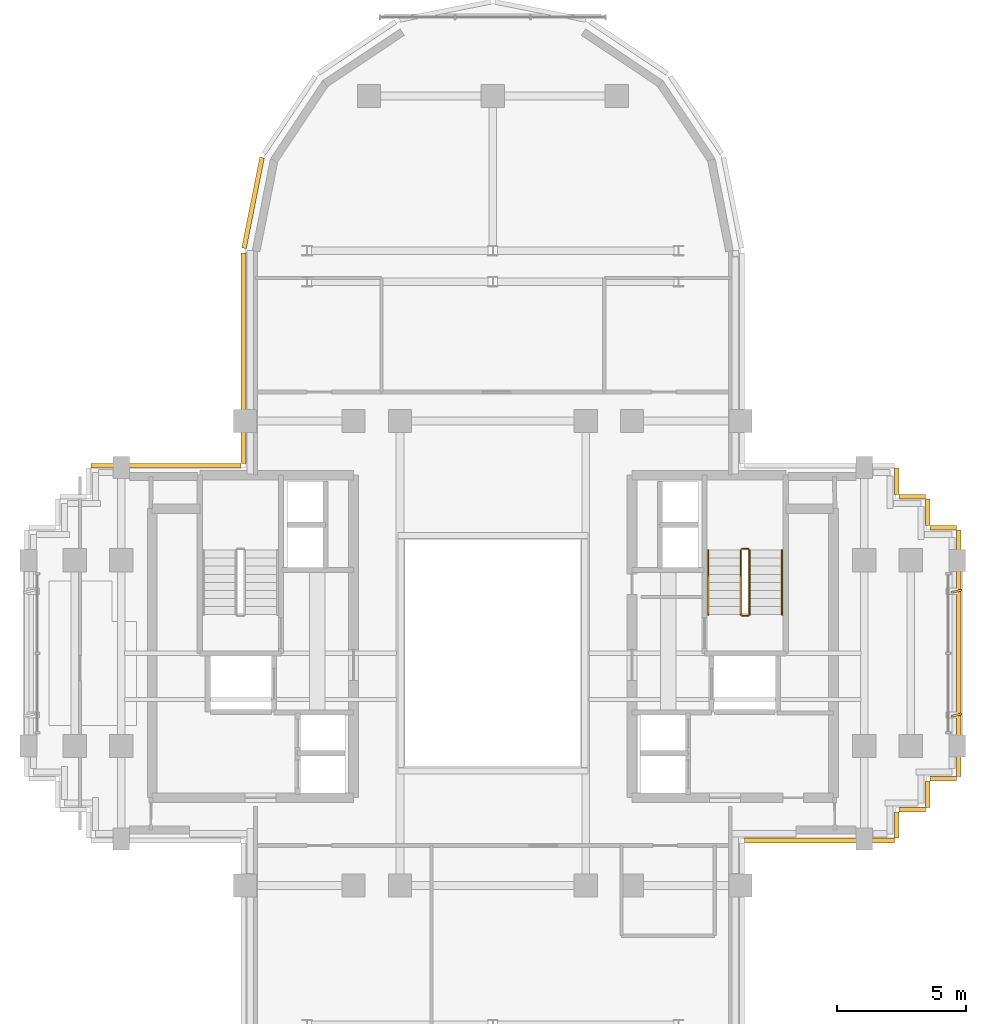
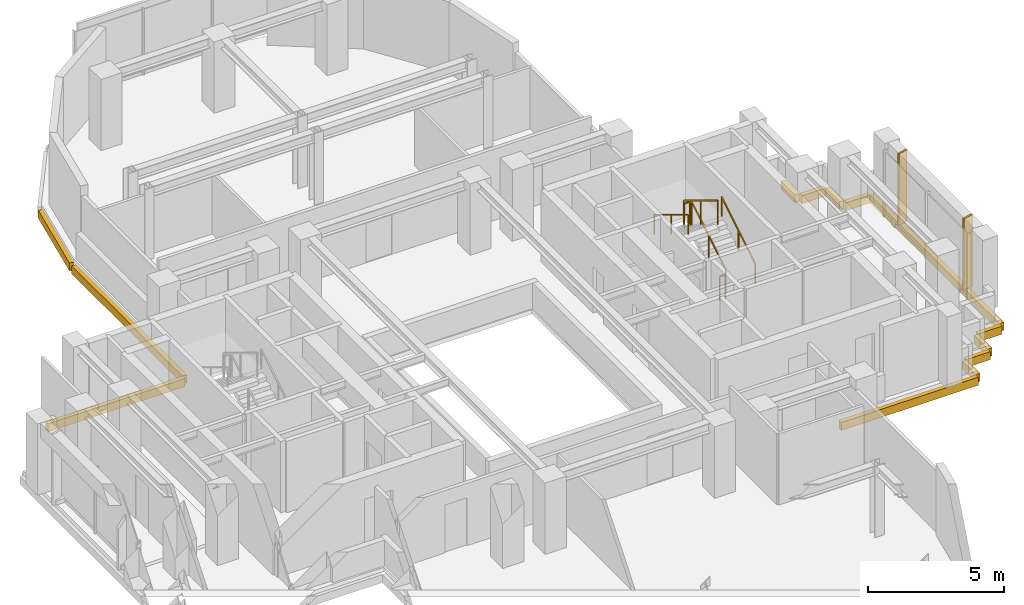
# One storey, part 10 of 11: 13 coverings, 6 railings, 2 shading devices.
"""IFC4 building model written with IfcOpenShell, lengths in metres."""

from ifc_helpers import new_model, si_unit, direction, frame, origin, origin_2d, place, context, subcontext, project, spatial, rectangle, extrude, source, transform, mapped, material, layer, layer_set, type_object, element, save


model = new_model("IFC4")

# Units and contexts
model_context = context("Model", 3, precision=1e-05, world=origin(), true_north=direction((0.0, 1.0)))
body_context = subcontext(model_context, "Body", "Model", "MODEL_VIEW")
ifc_project = project(units=[si_unit("LENGTHUNIT", "METRE"), si_unit("AREAUNIT", "SQUARE_METRE"), si_unit("VOLUMEUNIT", "CUBIC_METRE"), si_unit("PLANEANGLEUNIT", "RADIAN"), si_unit("MASSUNIT", "GRAM", prefix="KILO")], contexts=[model_context])

# Site, building, storey
site_placement = place(None, origin())
site = spatial("IfcSite", under=ifc_project, at=site_placement, CompositionType="ELEMENT")
building_placement = place(site_placement, origin())
building = spatial("IfcBuilding", under=site, at=building_placement, Name="Keilestroom Media Tower", CompositionType="ELEMENT")
storey_placement = place(building_placement, frame((0.0, 0.0, 170.60009765625)))
storey = spatial("IfcBuildingStorey", under=building, at=storey_placement, Name="L46", CompositionType="ELEMENT", Elevation=170.60009765625)

# Railings
ifc_material_1 = material(Name="Brushed Stainless Steel 1.4301", Category="steel")
railing_type_1 = type_object("IfcRailingType", Name="Stair-Pitch-Handrail-920", PredefinedType="HANDRAIL", material=ifc_material_1)
railing_1_placement = place(storey_placement, frame((11.2099609375, 1.5, 0.188720703125)))
element("IfcRailing", 1, at=railing_1_placement, inside=storey, type_object=railing_type_1, Name="L46 ST-2 stair handrail 1", PredefinedType="HANDRAIL", context=body_context, shape_type="SweptSolid", body=[
    extrude(rectangle(XDim=0.048095703125, YDim=0.048095703125, at=origin_2d()), frame((0.0, 0.0, 0.8759765625), z_axis=(0.0, 0.855433747314, 0.517912255074), x_axis=(-1.0, 0.0, 0.0)), (0.0, 0.0, 1.0), 2.91796875),
    extrude(rectangle(XDim=0.0419921875, YDim=0.0419921875, at=origin_2d()), origin(), (0.0, 0.0, 1.0), 0.84375),
    extrude(rectangle(XDim=0.0419921875, YDim=0.0419921875, at=origin_2d()), frame((0.0, 1.248046875, 0.755615234375)), (0.0, 0.0, 1.0), 0.84375),
    extrude(rectangle(XDim=0.0419921875, YDim=0.0419921875, at=origin_2d()), frame((0.0, 2.49609375, 1.51123046875)), (0.0, 0.0, 1.0), 0.84375),
])
railing_2_placement = place(storey_placement, frame((8.35009765625, 3.99609375, 1.888671875)))
element("IfcRailing", 2, at=railing_2_placement, inside=storey, type_object=railing_type_1, Name="L46 ST-2 stair handrail 2", PredefinedType="HANDRAIL", context=body_context, shape_type="SweptSolid", body=[
    extrude(rectangle(XDim=0.048095703125, YDim=0.048095703125, at=origin_2d()), frame((0.0, 0.0, 0.8759765625), z_axis=(0.0, -0.855433747314, 0.517912255074), x_axis=(1.0, 0.0, 0.0)), (0.0, 0.0, 1.0), 2.91796875),
    extrude(rectangle(XDim=0.0419921875, YDim=0.0419921875, at=origin_2d()), origin(), (0.0, 0.0, 1.0), 0.84375),
    extrude(rectangle(XDim=0.0419921875, YDim=0.0419921875, at=origin_2d()), frame((0.0, -1.248046875, 0.755615234375)), (0.0, 0.0, 1.0), 0.84375),
    extrude(rectangle(XDim=0.0419921875, YDim=0.0419921875, at=origin_2d()), frame((0.0, -2.49609375, 1.51123046875)), (0.0, 0.0, 1.0), 0.84375),
])
ifc_material_2 = material(Name="Painted Steel Balustrade", Category="steel")
railing_type_2 = type_object("IfcRailingType", Name="Stair-Well-And-Landing-Guard-1100", PredefinedType="GUARDRAIL", material=ifc_material_2)
railing_3_placement = place(storey_placement, frame((9.949951171875, 1.5, 0.188720703125)))
element("IfcRailing", 3, at=railing_3_placement, inside=storey, type_object=railing_type_2, Name="L46 ST-2 stair guard 1", PredefinedType="GUARDRAIL", context=body_context, shape_type="SweptSolid", body=[
    extrude(rectangle(XDim=0.048095703125, YDim=0.048095703125, at=origin_2d()), frame((0.0, 0.0, 1.076171875), z_axis=(0.0, 0.855433747314, 0.517912255074), x_axis=(-1.0, 0.0, 0.0)), (0.0, 0.0, 1.0), 2.91796875),
    extrude(rectangle(XDim=0.0419921875, YDim=0.0419921875, at=origin_2d()), origin(), (0.0, 0.0, 1.0), 1.0439453125),
    extrude(rectangle(XDim=0.0419921875, YDim=0.0419921875, at=origin_2d()), frame((0.0, 1.248046875, 0.755615234375)), (0.0, 0.0, 1.0), 1.0439453125),
    extrude(rectangle(XDim=0.0419921875, YDim=0.0419921875, at=origin_2d()), frame((0.0, 2.49609375, 1.51123046875)), (0.0, 0.0, 1.0), 1.0439453125),
])
railing_4_placement = place(storey_placement, frame((9.89990234375, 4.0458984375, 1.699951171875)))
element("IfcRailing", 4, at=railing_4_placement, inside=storey, type_object=railing_type_2, Name="L46 ST-2 stair guard 2", PredefinedType="GUARDRAIL", context=body_context, shape_type="SweptSolid", body=[
    extrude(rectangle(XDim=0.048095703125, YDim=0.048095703125, at=origin_2d()), frame((0.0, 0.0, 1.076171875), z_axis=(-1.0, 0.0, 0.0), x_axis=(0.0, -1.0, 0.0)), (0.0, 0.0, 1.0), 0.239990234375),
    extrude(rectangle(XDim=0.0419921875, YDim=0.0419921875, at=origin_2d()), origin(), (0.0, 0.0, 1.0), 1.0439453125),
    extrude(rectangle(XDim=0.0419921875, YDim=0.0419921875, at=origin_2d()), frame((-0.239990234375, 0.0, 0.0)), (0.0, 0.0, 1.0), 1.0439453125),
])
railing_5_placement = place(storey_placement, frame((9.610107421875, 3.99609375, 1.888671875)))
element("IfcRailing", 5, at=railing_5_placement, inside=storey, type_object=railing_type_2, Name="L46 ST-2 stair guard 3", PredefinedType="GUARDRAIL", context=body_context, shape_type="SweptSolid", body=[
    extrude(rectangle(XDim=0.048095703125, YDim=0.048095703125, at=origin_2d()), frame((0.0, 0.0, 1.076171875), z_axis=(0.0, -0.855433747314, 0.517912255074), x_axis=(1.0, 0.0, 0.0)), (0.0, 0.0, 1.0), 2.91796875),
    extrude(rectangle(XDim=0.0419921875, YDim=0.0419921875, at=origin_2d()), origin(), (0.0, 0.0, 1.0), 1.0439453125),
    extrude(rectangle(XDim=0.0419921875, YDim=0.0419921875, at=origin_2d()), frame((0.0, -1.248046875, 0.755615234375)), (0.0, 0.0, 1.0), 1.0439453125),
    extrude(rectangle(XDim=0.0419921875, YDim=0.0419921875, at=origin_2d()), frame((0.0, -2.49609375, 1.51123046875)), (0.0, 0.0, 1.0), 1.0439453125),
])
railing_6_placement = place(storey_placement, frame((9.89990234375, 1.449951171875, 0.0)))
element("IfcRailing", 6, at=railing_6_placement, inside=storey, type_object=railing_type_2, Name="L46 ST-2 stair guard 4", PredefinedType="GUARDRAIL", context=body_context, shape_type="SweptSolid", body=[
    extrude(rectangle(XDim=0.048095703125, YDim=0.048095703125, at=origin_2d()), frame((0.0, 0.0, 1.076171875), z_axis=(-1.0, 0.0, 0.0), x_axis=(0.0, -1.0, 0.0)), (0.0, 0.0, 1.0), 0.239990234375),
    extrude(rectangle(XDim=0.0419921875, YDim=0.0419921875, at=origin_2d()), origin(), (0.0, 0.0, 1.0), 1.0439453125),
    extrude(rectangle(XDim=0.0419921875, YDim=0.0419921875, at=origin_2d()), frame((-0.239990234375, 0.0, 0.0)), (0.0, 0.0, 1.0), 1.0439453125),
])

# Shading devices
ifc_material_3 = material(Name="Bronze Anodised Aluminium", Category="aluminium")
shading_device_type = type_object("IfcShadingDeviceType", Name="Facade-Vertical-Sunshade-Fin-SHD-1", PredefinedType="USERDEFINED", material=ifc_material_3)
shared_shape_1 = source(origin(), body_context, "Body", "SweptSolid", [
    extrude(rectangle(XDim=0.419921875, YDim=0.080078125, at=origin_2d()), origin(), (0.0, 0.0, 1.0), 3.199951171875),
])
for number, where, z_axis, x_axis, name in (
    (7, (17.969970703125, -2.39990234375, 0.0), (0.0, 0.0, 1.0), (0.973098510982, 0.230389426677, 0.0), "L46 Twisting Sunshade Fin SHD-1 063"),
    (8, (17.969970703125, 2.39990234375, 0.0), (0.0, 0.0, 1.0), (0.973098510982, 0.230389426677, 0.0), "L46 Twisting Sunshade Fin SHD-1 064"),
):
    element("IfcShadingDevice", number, at=place(storey_placement, frame(where, z_axis=z_axis, x_axis=x_axis)), inside=storey, type_object=shading_device_type, Name=name, ObjectType="SUNSHADE", PredefinedType="USERDEFINED", context=body_context, shape_type="MappedRepresentation", body=[
        mapped(shared_shape_1, transform((0.0, 0.0, 0.0), x_axis=(1.0, 0.0, 0.0), y_axis=(0.0, 1.0, 0.0), z_axis=(0.0, 0.0, 1.0), scale=1.0)),
    ])

# Coverings
ifc_material_4 = material(Name="Precast concrete C40/50", Category="concrete")
ifc_layer = layer(ifc_material_4, 0.1201171875)
ifc_layer_set = layer_set([ifc_layer], Name="Precast concrete C40/50")
covering_type = type_object("IfcCoveringType", Name="Exterior-Precast-Spandrel-Cladding-Panel-120", PredefinedType="CLADDING", material=ifc_layer_set)
shared_shape_2 = source(origin(), body_context, "Body", "SweptSolid", [
    extrude(rectangle(XDim=1.02001953125, YDim=0.179931640625, at=origin_2d()), origin(), (0.0, 0.0, 1.0), 0.360107421875),
])
for number, where, z_axis, x_axis, name in (
    (9, (17.4599609375, -4.860107421875, -0.5400390625), (0.0, 0.0, 1.0), (-1.0, 0.0, 0.0), "L46 Precast Slab-Edge Fascia Cornice 01"),
    (10, (16.860107421875, -5.4599609375, -0.5400390625), (0.0, 0.0, 1.0), (0.0, -1.0, 0.0), "L46 Precast Slab-Edge Fascia Cornice 02"),
    (11, (16.260009765625, -6.06005859375, -0.5400390625), (0.0, 0.0, 1.0), (-1.0, 0.0, 0.0), "L46 Precast Slab-Edge Fascia Cornice 03"),
    (12, (15.659912109375, -6.659912109375, -0.5400390625), (0.0, 0.0, 1.0), (0.0, -1.0, 0.0), "L46 Precast Slab-Edge Fascia Cornice 04"),
    (13, (15.659912109375, 6.659912109375, -0.5400390625), (0.0, 0.0, 1.0), (0.0, -1.0, 0.0), "L46 Precast Slab-Edge Fascia Cornice 38"),
    (14, (16.260009765625, 6.06005859375, -0.5400390625), (0.0, 0.0, 1.0), (1.0, 0.0, 0.0), "L46 Precast Slab-Edge Fascia Cornice 39"),
    (15, (16.860107421875, 5.4599609375, -0.5400390625), (0.0, 0.0, 1.0), (0.0, -1.0, 0.0), "L46 Precast Slab-Edge Fascia Cornice 40"),
    (16, (17.4599609375, 4.860107421875, -0.5400390625), (0.0, 0.0, 1.0), (1.0, 0.0, 0.0), "L46 Precast Slab-Edge Fascia Cornice 41"),
):
    element("IfcCovering", number, at=place(storey_placement, frame(where, z_axis=z_axis, x_axis=x_axis)), inside=storey, type_object=covering_type, Name=name, PredefinedType="CLADDING", context=body_context, shape_type="MappedRepresentation", body=[
        mapped(shared_shape_2, transform((0.0, 0.0, 0.0), x_axis=(1.0, 0.0, 0.0), y_axis=(0.0, 1.0, 0.0), z_axis=(0.0, 0.0, 1.0), scale=1.0)),
    ])
shared_shape_3 = source(origin(), body_context, "Body", "SweptSolid", [
    extrude(rectangle(XDim=8.166015625, YDim=0.179931640625, at=origin_2d()), origin(), (0.0, 0.0, 1.0), 0.360107421875),
])
covering_1_placement = place(storey_placement, frame((-9.659912109375, 11.43310546875, -0.5400390625), z_axis=(0.0, 0.0, 1.0), x_axis=(0.0, 1.0, 0.0)))
element("IfcCovering", 17, at=covering_1_placement, inside=storey, type_object=covering_type, Name="L46 Precast Slab-Edge Fascia Cornice 27", PredefinedType="CLADDING", context=body_context, shape_type="MappedRepresentation", body=[
    mapped(shared_shape_3, transform((0.0, 0.0, 0.0), x_axis=(1.0, 0.0, 0.0), y_axis=(0.0, 1.0, 0.0), z_axis=(0.0, 0.0, 1.0), scale=1.0)),
])
shared_shape_4 = source(origin(), body_context, "Body", "SweptSolid", [
    extrude(rectangle(XDim=3.58349609375, YDim=0.179931640625, at=origin_2d()), origin(), (0.0, 0.0, 1.0), 0.360107421875),
])
covering_2_placement = place(storey_placement, frame((-9.29296875, 17.45166015625, -0.5400390625), z_axis=(0.0, 0.0, 1.0), x_axis=(0.195098880975, 0.980783577882, 0.0)))
element("IfcCovering", 18, at=covering_2_placement, inside=storey, type_object=covering_type, Name="L46 Precast Slab-Edge Fascia Cornice 28", PredefinedType="CLADDING", context=body_context, shape_type="MappedRepresentation", body=[
    mapped(shared_shape_4, transform((0.0, 0.0, 0.0), x_axis=(1.0, 0.0, 0.0), y_axis=(0.0, 1.0, 0.0), z_axis=(0.0, 0.0, 1.0), scale=1.0)),
])
shared_shape_5 = source(origin(), body_context, "Body", "SweptSolid", [
    extrude(rectangle(XDim=9.5400390625, YDim=0.179931640625, at=origin_2d()), origin(), (0.0, 0.0, 1.0), 0.360107421875),
])
covering_3_placement = place(storey_placement, frame((18.06005859375, 0.0, -0.5400390625), z_axis=(0.0, 0.0, 1.0), x_axis=(0.0, -1.0, 0.0)))
element("IfcCovering", 19, at=covering_3_placement, inside=storey, type_object=covering_type, Name="L46 Precast Slab-Edge Fascia Cornice 42", PredefinedType="CLADDING", context=body_context, shape_type="MappedRepresentation", body=[
    mapped(shared_shape_5, transform((0.0, 0.0, 0.0), x_axis=(1.0, 0.0, 0.0), y_axis=(0.0, 1.0, 0.0), z_axis=(0.0, 0.0, 1.0), scale=1.0)),
])
shared_shape_6 = source(origin(), body_context, "Body", "SweptSolid", [
    extrude(rectangle(XDim=5.820068359375, YDim=0.179931640625, at=origin_2d()), origin(), (0.0, 0.0, 1.0), 0.360107421875),
])
for number, where, z_axis, x_axis, name in (
    (20, (12.659912109375, -7.260009765625, -0.5400390625), (0.0, 0.0, 1.0), (-1.0, 0.0, 0.0), "L46 Precast Slab-Edge Fascia Cornice 05"),
    (21, (-12.659912109375, 7.260009765625, -0.5400390625), (0.0, 0.0, 1.0), (1.0, 0.0, 0.0), "L46 Precast Slab-Edge Fascia Cornice 26"),
):
    element("IfcCovering", number, at=place(storey_placement, frame(where, z_axis=z_axis, x_axis=x_axis)), inside=storey, type_object=covering_type, Name=name, PredefinedType="CLADDING", context=body_context, shape_type="MappedRepresentation", body=[
        mapped(shared_shape_6, transform((0.0, 0.0, 0.0), x_axis=(1.0, 0.0, 0.0), y_axis=(0.0, 1.0, 0.0), z_axis=(0.0, 0.0, 1.0), scale=1.0)),
    ])

save(model, "model.ifc")
